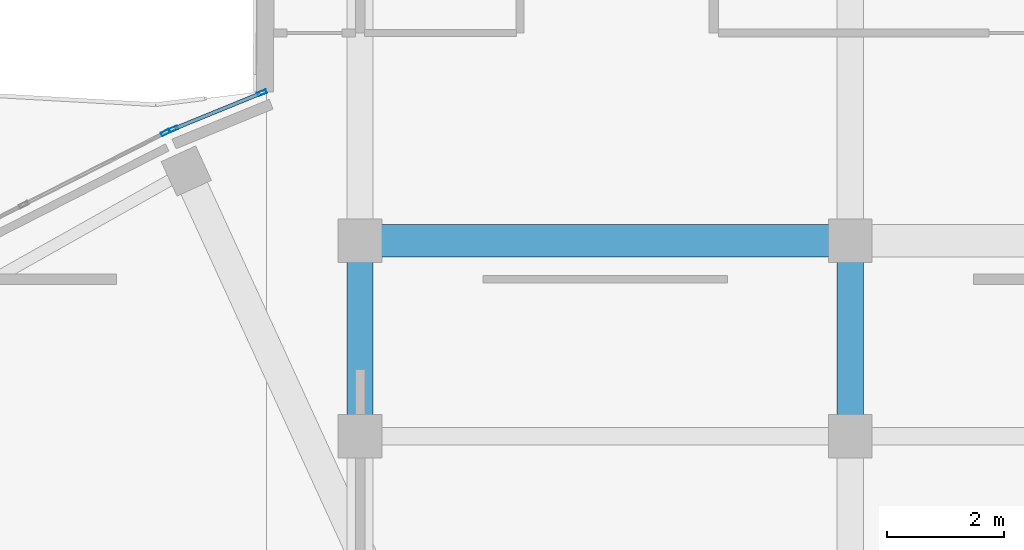
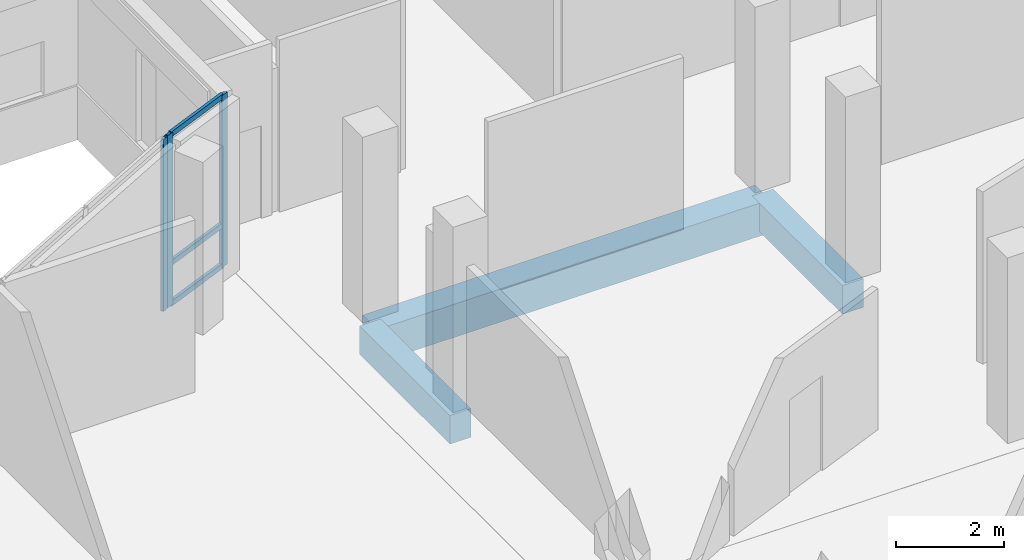
# One storey, part 108 of 184: 6 members, 3 beams, 2 elements without a shape of their own.
"""IFC4 building model written with IfcOpenShell, lengths in metres."""

import ifcopenshell
import ifcopenshell.guid

model = None  # the IFC model being written
_history = None  # IfcOwnerHistory: only IFC2X3 demands one
_inside = {}  # id of a spatial element -> (the spatial element, [elements in it])
_under = {}  # id of a project, library or spatial element -> (it, [spatial elements below it])
_declared = {}  # id of a project -> (the project, [libraries it declares])
_typed = {}  # id of a type object -> (the type object, [elements of that type])
_made_of = {}  # id of a material, layer set ... -> (it, [elements and type objects made of it])


def new_model(schema):
    """Start an empty IFC model of exactly this schema.

    Asked for "IFC4X3", IfcOpenShell would pick the latest addendum, in which some entities
    have other attributes; the version numbers below select the first issue.
    IFC2X3 requires an IfcOwnerHistory on every rooted entity: one is made here for all.
    """
    global model, _history
    if schema == "IFC4X3":
        model = ifcopenshell.file(schema_version=(4, 3, 0, 0))
    else:
        model = ifcopenshell.file(schema=schema)
    _inside.clear()
    _under.clear()
    _declared.clear()
    _typed.clear()
    _made_of.clear()
    _history = None
    if model.schema == "IFC2X3":
        org = make("IfcOrganization", Name="unknown")
        user = make(
            "IfcPersonAndOrganization",
            ThePerson=make("IfcPerson", FamilyName="unknown"),
            TheOrganization=org,
        )
        app = make(
            "IfcApplication",
            ApplicationDeveloper=org,
            Version="unknown",
            ApplicationFullName="unknown",
            ApplicationIdentifier="unknown",
        )
        _history = make(
            "IfcOwnerHistory",
            OwningUser=user,
            OwningApplication=app,
            ChangeAction="ADDED",
            CreationDate=0,
        )
    return model


def make(cls, **values):
    """One entity of the class cls with the attributes given. An attribute that is None is left unset."""
    return model.create_entity(
        cls, **{name: value for name, value in values.items() if value is not None}
    )


def rooted(cls, **values):
    """An entity with a GlobalId (a new one), such as an element, a storey or a relation."""
    return make(cls, GlobalId=ifcopenshell.guid.new(), OwnerHistory=_history, **values)


def si_unit(unit_type, name, prefix=None):
    """IfcSIUnit, for example si_unit("LENGTHUNIT", "METRE", prefix="MILLI")."""
    return make("IfcSIUnit", UnitType=unit_type, Prefix=prefix, Name=name)


def assignment(units):
    """IfcUnitAssignment: the units of a project."""
    return None if units is None else make("IfcUnitAssignment", Units=units)


def point(xyz):
    """IfcCartesianPoint."""
    return None if xyz is None else make("IfcCartesianPoint", Coordinates=xyz)


def direction(xyz):
    """IfcDirection."""
    return None if xyz is None else make("IfcDirection", DirectionRatios=xyz)


def frame(location, z_axis=None, x_axis=None):
    """IfcAxis2Placement3D, a coordinate frame: its origin and axes. An axis left out is left unset."""
    return make(
        "IfcAxis2Placement3D",
        Location=point(location),
        Axis=direction(z_axis),
        RefDirection=direction(x_axis),
    )


def frame_2d(location, x_axis=None):
    """IfcAxis2Placement2D, a coordinate frame in the plane: its origin and x axis."""
    return make(
        "IfcAxis2Placement2D", Location=point(location), RefDirection=direction(x_axis)
    )


def origin():
    """The frame at (0, 0, 0) with its axes left unset."""
    return frame((0.0, 0.0, 0.0))


def origin_2d():
    """The frame at (0, 0) in the plane with its x axis left unset."""
    return frame_2d((0.0, 0.0))


def place(relative_to, where):
    """IfcLocalPlacement: puts the frame where relative to a parent placement (None: the world)."""
    return make(
        "IfcLocalPlacement", PlacementRelTo=relative_to, RelativePlacement=where
    )


def context(
    kind, dimensions, precision=None, world=None, true_north=None, identifier=None
):
    """IfcGeometricRepresentationContext, for example the 3D "Model" context."""
    return make(
        "IfcGeometricRepresentationContext",
        ContextIdentifier=identifier,
        ContextType=kind,
        CoordinateSpaceDimension=dimensions,
        Precision=precision,
        WorldCoordinateSystem=world,
        TrueNorth=true_north,
    )


def subcontext(parent, identifier, kind, view, scale=None):
    """IfcGeometricRepresentationSubContext, for example "Body" below "Model"."""
    return make(
        "IfcGeometricRepresentationSubContext",
        ContextIdentifier=identifier,
        ContextType=kind,
        ParentContext=parent,
        TargetScale=scale,
        TargetView=view,
    )


def project(units=None, contexts=None):
    """IfcProject with its units and contexts."""
    return rooted(
        "IfcProject",
        Name="project",
        RepresentationContexts=contexts,
        UnitsInContext=assignment(units),
    )


def spatial(cls, under=None, at=None, **own):
    """A site, building, storey or space (cls), placed at a placement, below another one or the project."""
    s = rooted(cls, ObjectPlacement=at, **own)
    if under is not None:
        _under.setdefault(under.id(), (under, []))[1].append(s)
    return s


def profile(cls, at=None, kind="AREA", **sizes):
    """A parametric profile (cls). Its sizes go by their IFC names, for example OverallWidth=200.0."""
    return make(cls, ProfileType=kind, Position=at, **sizes)


def rectangle(**sizes):
    """IfcRectangleProfileDef."""
    return profile("IfcRectangleProfileDef", **sizes)


def hollow_rectangle(**sizes):
    """IfcRectangleHollowProfileDef."""
    return profile("IfcRectangleHollowProfileDef", **sizes)


def extrude(swept, where, along, depth):
    """IfcExtrudedAreaSolid: the profile swept, set in the frame where, extruded along a direction by depth."""
    return make(
        "IfcExtrudedAreaSolid",
        SweptArea=swept,
        Position=where,
        ExtrudedDirection=direction(along),
        Depth=depth,
    )


def shape(context_of_items, identifier, shape_type, items):
    """IfcShapeRepresentation: the items that make up one representation, for example the "Body"."""
    return make(
        "IfcShapeRepresentation",
        ContextOfItems=context_of_items,
        RepresentationIdentifier=identifier,
        RepresentationType=shape_type,
        Items=items,
    )


def material(Name=None, Category=None):
    """IfcMaterial."""
    return make("IfcMaterial", Name=Name, Category=Category)


def material_profile(
    of_material, cross_section, Name=None, Category=None, Priority=None
):
    """IfcMaterialProfile: a cross section and its material."""
    return make(
        "IfcMaterialProfile",
        Name=Name,
        Material=of_material,
        Profile=cross_section,
        Priority=Priority,
        Category=Category,
    )


def profile_set(profiles, Name=None, composite=None):
    """IfcMaterialProfileSet."""
    return make(
        "IfcMaterialProfileSet",
        Name=Name,
        MaterialProfiles=profiles,
        CompositeProfile=composite,
    )


def made_of(thing, what):
    """Note that an element or type object is made of a material, layer set ...; save() writes the relation."""
    if what is not None:
        _made_of.setdefault(what.id(), (what, []))[1].append(thing)
    return thing


def type_object(cls, material=None, **own):
    """A type object (cls), such as IfcWallType, which elements share."""
    return made_of(rooted(cls, **own), material)


def element(
    cls,
    number,
    at=None,
    inside=None,
    cuts=None,
    type_object=None,
    material=None,
    context=None,
    identifier="Body",
    shape_type=None,
    held_by="IfcProductDefinitionShape",
    body=None,
    shapes=None,
    **own,
):
    """One element of the class cls, such as IfcWall. Its Tag is "e" and its number.

    at: its placement. inside: the storey or other place that contains it. cuts: it is an
    opening in that element (IfcRelVoidsElement). A single representation is given by context,
    identifier, shape_type and body (its items); several are given by shapes. held_by: the class
    of the entity that holds the representations. save() writes the other relations.
    """
    e = rooted(cls, Tag="e%d" % number, ObjectPlacement=at, **own)
    if body is not None:
        shapes = [shape(context, identifier, shape_type, body)]
    if shapes is not None:
        e.Representation = make(held_by, Representations=shapes)
    if inside is not None:
        _inside.setdefault(inside.id(), (inside, []))[1].append(e)
    if cuts is not None:
        rooted(
            "IfcRelVoidsElement", RelatingBuildingElement=cuts, RelatedOpeningElement=e
        )
    if type_object is not None:
        _typed.setdefault(type_object.id(), (type_object, []))[1].append(e)
    return made_of(e, material)


def aggregate(whole, parts):
    """IfcRelAggregates: a whole, such as a stair, and the parts it consists of."""
    return rooted("IfcRelAggregates", RelatingObject=whole, RelatedObjects=parts)


def save(model, path):
    """Write the relations noted so far, then the file.

    IfcRelAggregates (storeys below a building ...), IfcRelContainedInSpatialStructure (elements
    in a storey), IfcRelDefinesByType, IfcRelAssociatesMaterial and IfcRelDeclares: one each for
    every whole, place, type object, material and project.
    """
    for whole, parts in _under.values():
        aggregate(whole, parts)
    for where, things in _inside.values():
        rooted(
            "IfcRelContainedInSpatialStructure",
            RelatedElements=things,
            RelatingStructure=where,
        )
    for kind, things in _typed.values():
        rooted("IfcRelDefinesByType", RelatedObjects=things, RelatingType=kind)
    for what, things in _made_of.values():
        rooted("IfcRelAssociatesMaterial", RelatedObjects=things, RelatingMaterial=what)
    for by, libraries in _declared.values():
        rooted("IfcRelDeclares", RelatingContext=by, RelatedDefinitions=libraries)
    model.write(path)


model = new_model("IFC4")

# Units and contexts
model_context = context("Model", 3, precision=1e-05, world=origin(), true_north=direction((0.0, 1.0)))
body_context = subcontext(model_context, "Body", "Model", "MODEL_VIEW")
ifc_project = project(units=[si_unit("LENGTHUNIT", "METRE"), si_unit("AREAUNIT", "SQUARE_METRE"), si_unit("VOLUMEUNIT", "CUBIC_METRE"), si_unit("PLANEANGLEUNIT", "RADIAN"), si_unit("MASSUNIT", "GRAM", prefix="KILO")], contexts=[model_context])

# Site, building, storey
site_placement = place(None, origin())
site = spatial("IfcSite", under=ifc_project, at=site_placement, CompositionType="ELEMENT")
building_placement = place(site_placement, origin())
building = spatial("IfcBuilding", under=site, at=building_placement, Name="Selatvlak General Hospital", CompositionType="ELEMENT")
storey_placement = place(building_placement, frame((0.0, 0.0, 15.0)))
storey = spatial("IfcBuildingStorey", under=building, at=storey_placement, Name="L03", CompositionType="ELEMENT", Elevation=15.0)

# Beams
ifc_material_1 = material(Name="Concrete C40/50", Category="concrete")
ifc_material_profile_1 = material_profile(ifc_material_1, rectangle(XDim=0.550048828125, YDim=0.75, at=origin_2d()), Name="RC-BM 550x750")
ifc_profile_set_1 = profile_set([ifc_material_profile_1], Name="Concrete C40/50")
beam_type_1 = type_object("IfcBeamType", Name="BM-G02", PredefinedType="BEAM", material=ifc_profile_set_1)
beam_placement = place(storey_placement, frame((115.199951171875, 76.0, -0.715087890625), z_axis=(1.0, 0.0, 0.0), x_axis=(0.0, 1.0, 0.0)))
element("IfcBeam", 1, at=beam_placement, inside=storey, type_object=beam_type_1, Name="Beam BMR-L03-1172", PredefinedType="BEAM", context=body_context, shape_type="SweptSolid", body=[
    extrude(rectangle(XDim=0.550048828125, YDim=0.75, at=origin_2d()), origin(), (0.0, 0.0, 1.0), 8.400146484375),
])
ifc_material_profile_2 = material_profile(ifc_material_1, rectangle(XDim=0.449951171875, YDim=0.64990234375, at=origin_2d()), Name="RC-BM 450x650")
ifc_profile_set_2 = profile_set([ifc_material_profile_2], Name="Concrete C40/50")
beam_type_2 = type_object("IfcBeamType", Name="BM-G04", PredefinedType="BEAM", material=ifc_profile_set_2)
for number, where, z_axis, x_axis, name in (
    (2, (115.199951171875, 72.64990234375, -0.6650390625), (0.0, 1.0, 0.0), (-1.0, 0.0, 0.0), "Beam BMR-L03-1353"),
    (3, (123.60009765625, 72.64990234375, -0.6650390625), (0.0, 1.0, 0.0), (-1.0, 0.0, 0.0), "Beam BMR-L03-1360"),
):
    element("IfcBeam", number, at=place(storey_placement, frame(where, z_axis=z_axis, x_axis=x_axis)), inside=storey, type_object=beam_type_2, Name=name, PredefinedType="BEAM", context=body_context, shape_type="SweptSolid", body=[
        extrude(rectangle(XDim=0.449951171875, YDim=0.64990234375, at=origin_2d()), origin(), (0.0, 0.0, 1.0), 3.35009765625),
    ])

# Curtain wall, member
ifc_material_2 = material(Name="Solar-control Low-E double glazing", Category="glass")
curtain_wall_type_1 = type_object("IfcCurtainWallType", Name="CW-CW-01", PredefinedType="USERDEFINED", material=ifc_material_2)
curtain_wall_1_placement = place(storey_placement, origin())
curtain_wall_1 = element("IfcCurtainWall", 4, at=curtain_wall_1_placement, inside=storey, type_object=curtain_wall_type_1, Name="Glazed facade curtain wall CW-L03-0473", ObjectType="UNITISED CURTAIN WALL", PredefinedType="USERDEFINED")
ifc_material_3 = material(Name="Dark anodised aluminium mullion", Category="aluminium")
ifc_material_profile_3 = material_profile(ifc_material_3, hollow_rectangle(XDim=0.06494140625, YDim=0.159912109375, WallThickness=0.00390625, at=origin_2d()), Name="AL-MUL 65x160x4")
ifc_profile_set_3 = profile_set([ifc_material_profile_3], Name="Dark anodised aluminium mullion")
member_type_1 = type_object("IfcMemberType", Name="CWM-01", PredefinedType="MULLION", material=ifc_profile_set_3)
member_1_placement = place(storey_placement, frame((111.866943359375, 77.854248046875, 0.0), z_axis=(0.0, 0.0, 1.0), x_axis=(-0.453361318983, 0.891326828077, 0.0)))
member_1 = element("IfcMember", 5, at=member_1_placement, type_object=member_type_1, Name="CW-01 mullion 3", PredefinedType="MULLION", context=body_context, shape_type="SweptSolid", body=[
    extrude(hollow_rectangle(XDim=0.06494140625, YDim=0.159912109375, WallThickness=0.00390625, at=origin_2d()), origin(), (0.0, 0.0, 1.0), 3.89501953125),
])
aggregate(curtain_wall_1, [member_1])

# Curtain wall, members
curtain_wall_type_2 = type_object("IfcCurtainWallType", Name="CW-CW-02", PredefinedType="USERDEFINED", material=ifc_material_2)
curtain_wall_2_placement = place(storey_placement, origin())
curtain_wall_2 = element("IfcCurtainWall", 6, at=curtain_wall_2_placement, inside=storey, type_object=curtain_wall_type_2, Name="Glazed facade curtain wall CW-L03-0474", ObjectType="UNITISED CURTAIN WALL", PredefinedType="USERDEFINED")
member_2_placement = place(storey_placement, frame((111.9990234375, 77.913330078125, 0.0), z_axis=(0.0, 0.0, 1.0), x_axis=(-0.377948250587, 0.925826722383, 0.0)))
member_2 = element("IfcMember", 7, at=member_2_placement, type_object=member_type_1, Name="CW-02 mullion 1", PredefinedType="MULLION", context=body_context, shape_type="SweptSolid", body=[
    extrude(hollow_rectangle(XDim=0.06494140625, YDim=0.159912109375, WallThickness=0.00390625, at=origin_2d()), origin(), (0.0, 0.0, 1.0), 3.89501953125),
])
member_3_placement = place(storey_placement, frame((113.518798828125, 78.53369140625, 0.0), z_axis=(0.0, 0.0, 1.0), x_axis=(-0.377948250587, 0.925826722383, 0.0)))
member_3 = element("IfcMember", 8, at=member_3_placement, type_object=member_type_1, Name="CW-02 mullion 2", PredefinedType="MULLION", context=body_context, shape_type="SweptSolid", body=[
    extrude(hollow_rectangle(XDim=0.06494140625, YDim=0.159912109375, WallThickness=0.00390625, at=origin_2d()), origin(), (0.0, 0.0, 1.0), 3.89501953125),
])
ifc_material_profile_4 = material_profile(ifc_material_3, hollow_rectangle(XDim=0.06494140625, YDim=0.1201171875, WallThickness=0.00390625, at=origin_2d()), Name="AL-TRN 65x120x4")
ifc_profile_set_4 = profile_set([ifc_material_profile_4], Name="Dark anodised aluminium mullion")
member_type_2 = type_object("IfcMemberType", Name="CWT-01", PredefinedType="USERDEFINED", material=ifc_profile_set_4)
member_4_placement = place(storey_placement, frame((112.029296875, 77.925537109375, 0.032470703125), z_axis=(0.925793450166, 0.378029744372, 0.0), x_axis=(-0.378029744372, 0.925793450166, 0.0)))
member_4 = element("IfcMember", 9, at=member_4_placement, type_object=member_type_2, Name="CW-02 transom 1.1", ObjectType="TRANSOM", PredefinedType="USERDEFINED", context=body_context, shape_type="SweptSolid", body=[
    extrude(hollow_rectangle(XDim=0.06494140625, YDim=0.1201171875, WallThickness=0.00390625, at=origin_2d()), origin(), (0.0, 0.0, 1.0), 1.576416015625),
])
member_5_placement = place(storey_placement, frame((112.029296875, 77.925537109375, 0.949951171875), z_axis=(0.925793450166, 0.378029744372, 0.0), x_axis=(-0.378029744372, 0.925793450166, 0.0)))
member_5 = element("IfcMember", 10, at=member_5_placement, type_object=member_type_2, Name="CW-02 transom 1.2", ObjectType="TRANSOM", PredefinedType="USERDEFINED", context=body_context, shape_type="SweptSolid", body=[
    extrude(hollow_rectangle(XDim=0.06494140625, YDim=0.1201171875, WallThickness=0.00390625, at=origin_2d()), origin(), (0.0, 0.0, 1.0), 1.576416015625),
])
member_6_placement = place(storey_placement, frame((112.029296875, 77.925537109375, 3.862548828125), z_axis=(0.925793450166, 0.378029744372, 0.0), x_axis=(-0.378029744372, 0.925793450166, 0.0)))
member_6 = element("IfcMember", 11, at=member_6_placement, type_object=member_type_2, Name="CW-02 transom 1.3", ObjectType="TRANSOM", PredefinedType="USERDEFINED", context=body_context, shape_type="SweptSolid", body=[
    extrude(hollow_rectangle(XDim=0.06494140625, YDim=0.1201171875, WallThickness=0.00390625, at=origin_2d()), origin(), (0.0, 0.0, 1.0), 1.576416015625),
])
aggregate(curtain_wall_2, [member_2, member_3, member_4, member_5, member_6])

save(model, "model.ifc")
